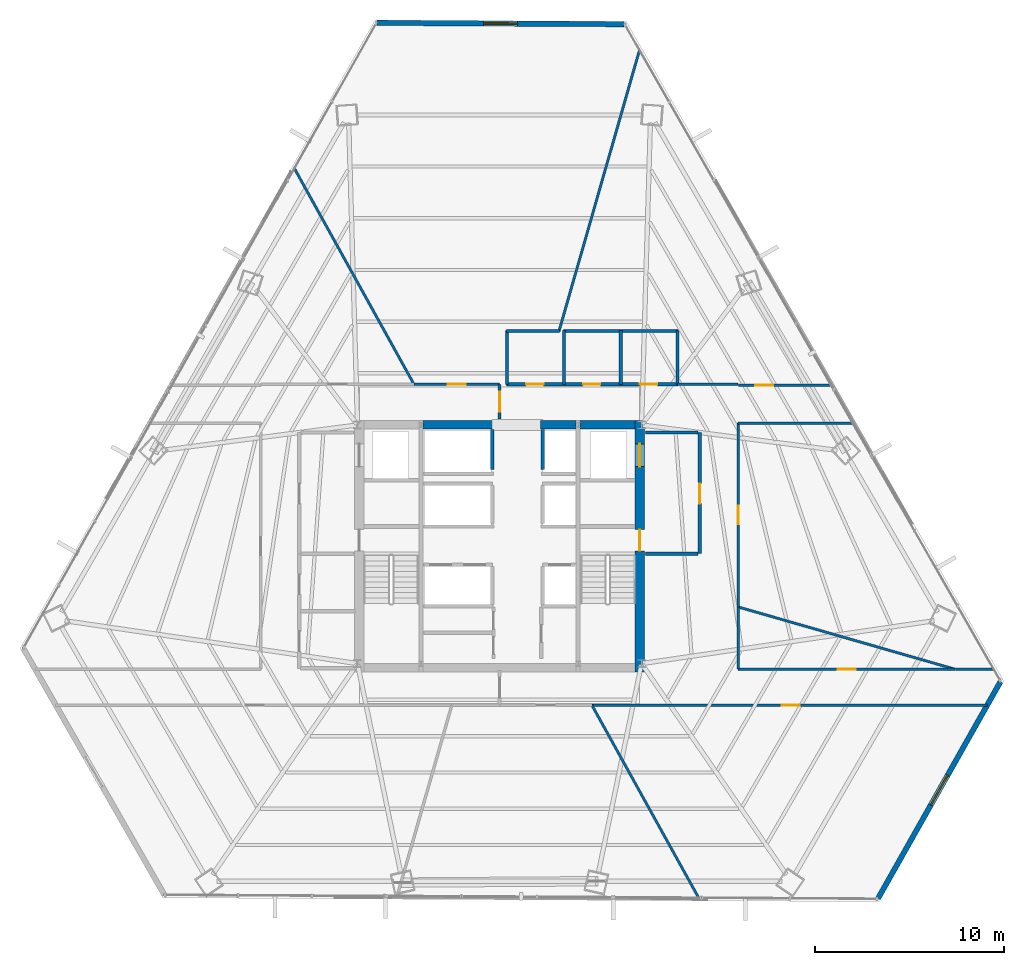
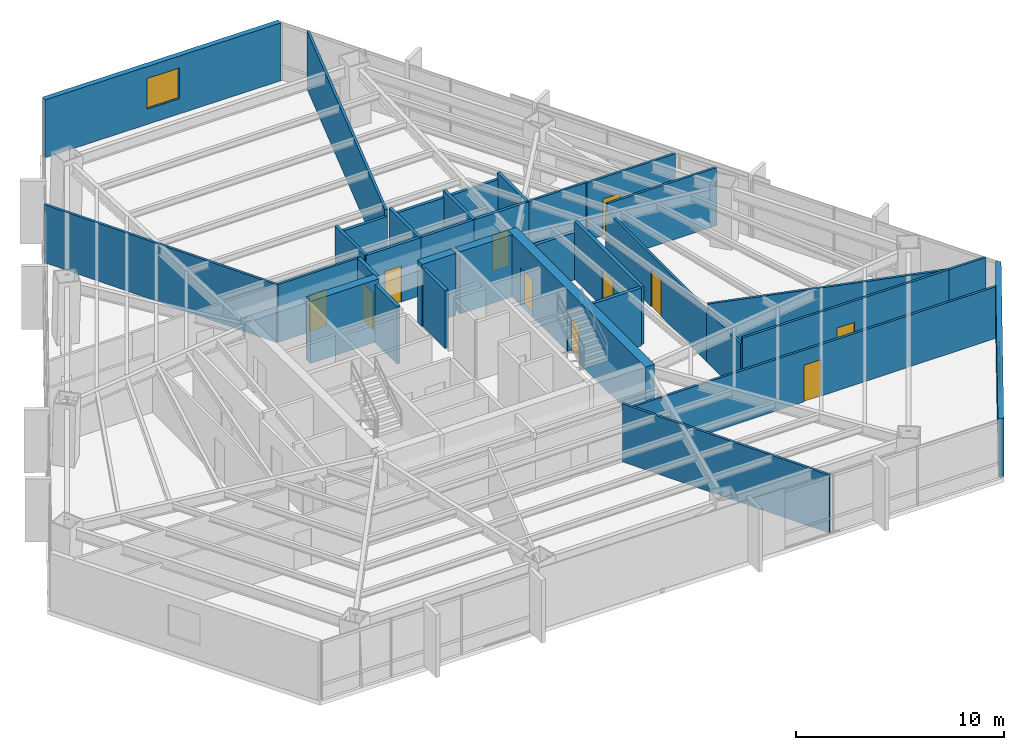
# One storey, part 32 of 36: 35 walls, 12 doors, 2 windows, 14 openings.
"""IFC4 building model written with IfcOpenShell, lengths in metres."""

from ifc_helpers import new_model, si_unit, direction, frame, frame_2d, origin, place, context, subcontext, project, spatial, rectangle, extrude, material, layer, layer_set, type_object, element, fill, save


model = new_model("IFC4")

# Units and contexts
model_context = context("Model", 3, precision=1e-05, world=origin(), true_north=direction((0.0, 1.0)))
body_context = subcontext(model_context, "Body", "Model", "MODEL_VIEW")
ifc_project = project(units=[si_unit("LENGTHUNIT", "METRE"), si_unit("AREAUNIT", "SQUARE_METRE"), si_unit("VOLUMEUNIT", "CUBIC_METRE"), si_unit("PLANEANGLEUNIT", "RADIAN"), si_unit("MASSUNIT", "GRAM", prefix="KILO")], contexts=[model_context])

# Site, building, storey
site_placement = place(None, origin())
site = spatial("IfcSite", under=ifc_project, at=site_placement, CompositionType="ELEMENT")
building_placement = place(site_placement, origin())
building = spatial("IfcBuilding", under=site, at=building_placement, Name="Caelisora Broadcast Tower", CompositionType="ELEMENT")
storey_placement = place(building_placement, frame((0.0, 0.0, 79.85009765625)))
storey = spatial("IfcBuildingStorey", under=building, at=storey_placement, Name="L20", CompositionType="ELEMENT", Elevation=79.85009765625)

# Wall, openings, doors
ifc_material_1 = material(Name="Concrete 50 MPa (AS 3600 S50)", Category="concrete")
ifc_layer_1 = layer(ifc_material_1, 0.5, Name="Concrete 50 MPa (AS 3600 S50)")
ifc_layer_set_1 = layer_set([ifc_layer_1], Name="Concrete 50 MPa (AS 3600 S50)")
wall_type_1 = type_object("IfcWallType", Name="CW2", PredefinedType="SHEAR", material=ifc_layer_set_1)
wall_1_placement = place(storey_placement, frame((45.409912109375, 16.949951171875, 0.0), z_axis=(0.0, 0.0, 1.0), x_axis=(0.0, 1.0, 0.0)))
wall_1 = element("IfcWall", 1, at=wall_1_placement, inside=storey, type_object=wall_type_1, Name="L20 core shear wall CW2", PredefinedType="SHEAR", context=body_context, shape_type="SweptSolid", body=[
    extrude(rectangle(XDim=13.275146484375, YDim=0.5, at=frame_2d((6.6376953125, 0.0))), origin(), (0.0, 0.0, 1.0), 3.64990234375),
])
opening_1_placement = place(wall_1_placement, frame((6.39990234375, 0.0, 0.0)))
opening_1 = element("IfcOpeningElement", 2, at=opening_1_placement, cuts=wall_1, Name="Opening FD04", PredefinedType="OPENING", context=body_context, shape_type="SweptSolid", body=[
    extrude(rectangle(XDim=1.1201171875, YDim=2.14990234375, at=frame_2d((0.56005859375, 1.074951171875))), frame((0.0, 0.261962890625, 0.0), z_axis=(0.0, -1.0, 0.0), x_axis=(1.0, 0.0, 0.0)), (0.0, 0.0, 1.0), 0.52392578125),
])
opening_2_placement = place(wall_1_placement, frame((10.85009765625, 0.0, 0.0)))
opening_2 = element("IfcOpeningElement", 3, at=opening_2_placement, cuts=wall_1, Name="Opening LD04", PredefinedType="OPENING", context=body_context, shape_type="SweptSolid", body=[
    extrude(rectangle(XDim=1.199951171875, YDim=2.199951171875, at=frame_2d((0.60009765625, 1.10009765625))), frame((0.0, 0.261962890625, 0.0), z_axis=(0.0, -1.0, 0.0), x_axis=(1.0, 0.0, 0.0)), (0.0, 0.0, 1.0), 0.52392578125),
])
ifc_material_2 = material(Name="Pressurised Fire-Isolated Stair Door", Category="steel")
door_type_1 = type_object("IfcDoorType", Name="FD04", OperationType="NOTDEFINED", PredefinedType="DOOR", material=ifc_material_2)
door_1_placement = place(opening_1_placement, origin())
door_1 = element("IfcDoor", 4, at=door_1_placement, inside=storey, type_object=door_type_1, Name="L20 door FD04 (L20-DR-ST2)", OperationType="SINGLE_SWING_RIGHT", OverallHeight=2.14990234375, OverallWidth=1.1201171875, PredefinedType="DOOR", context=body_context, shape_type="SweptSolid", body=[
    extrude(rectangle(XDim=1.1201171875, YDim=2.14990234375, at=frame_2d((0.56005859375, 1.074951171875))), frame((0.0, 0.02490234375, 0.0), z_axis=(0.0, -1.0, 0.0), x_axis=(1.0, 0.0, 0.0)), (0.0, 0.0, 1.0), 0.050048828125),
])
fill(opening_1, door_1)
ifc_material_3 = material(Name="Emergency Firefighting Lift Sliding Landing Door", Category="steel")
door_type_2 = type_object("IfcDoorType", Name="LD04", OperationType="NOTDEFINED", PredefinedType="DOOR", material=ifc_material_3)
door_2_placement = place(opening_2_placement, origin())
door_2 = element("IfcDoor", 5, at=door_2_placement, inside=storey, type_object=door_type_2, Name="L20 door LD04 (L20-LD-FFL2)", OperationType="SLIDING_TO_RIGHT", OverallHeight=2.199951171875, OverallWidth=1.199951171875, PredefinedType="DOOR", context=body_context, shape_type="SweptSolid", body=[
    extrude(rectangle(XDim=1.199951171875, YDim=2.199951171875, at=frame_2d((0.60009765625, 1.10009765625))), frame((0.0, 0.02490234375, 0.0), z_axis=(0.0, -1.0, 0.0), x_axis=(1.0, 0.0, 0.0)), (0.0, 0.0, 1.0), 0.050048828125),
])
fill(opening_2, door_2)

# Walls
ifc_layer_2 = layer(ifc_material_1, 0.449951171875, Name="Concrete 50 MPa (AS 3600 S50)")
ifc_layer_set_2 = layer_set([ifc_layer_2], Name="Concrete 50 MPa (AS 3600 S50)")
wall_type_2 = type_object("IfcWallType", Name="CW5", PredefinedType="SHEAR", material=ifc_layer_set_2)
wall_2_placement = place(storey_placement, frame((33.9599609375, 30.0, 0.0), z_axis=(0.0, 0.0, 1.0), x_axis=(1.0, 0.0, 0.0)))
element("IfcWall", 6, at=wall_2_placement, inside=storey, type_object=wall_type_2, Name="L20 core shear wall CW5", PredefinedType="SHEAR", context=body_context, shape_type="SweptSolid", body=[
    extrude(rectangle(XDim=3.780029296875, YDim=0.449951171875, at=frame_2d((1.89013671875, 0.0))), origin(), (0.0, 0.0, 1.0), 3.64990234375),
])
wall_3_placement = place(storey_placement, frame((40.159912109375, 30.0, 0.0), z_axis=(0.0, 0.0, 1.0), x_axis=(1.0, 0.0, 0.0)))
element("IfcWall", 7, at=wall_3_placement, inside=storey, type_object=wall_type_2, Name="L20 core shear wall CW5", PredefinedType="SHEAR", context=body_context, shape_type="SweptSolid", body=[
    extrude(rectangle(XDim=1.880126953125, YDim=0.449951171875, at=frame_2d((0.93994140625, 0.0))), origin(), (0.0, 0.0, 1.0), 3.64990234375),
])
wall_4_placement = place(storey_placement, frame((42.260009765625, 30.0, 0.0), z_axis=(0.0, 0.0, 1.0), x_axis=(1.0, 0.0, 0.0)))
element("IfcWall", 8, at=wall_4_placement, inside=storey, type_object=wall_type_2, Name="L20 core shear wall CW5", PredefinedType="SHEAR", context=body_context, shape_type="SweptSolid", body=[
    extrude(rectangle(XDim=2.89990234375, YDim=0.449951171875, at=frame_2d((1.449951171875, 0.0))), origin(), (0.0, 0.0, 1.0), 3.64990234375),
])

# Wall, opening, window
ifc_material_4 = material(Name="Insulated Terracotta Spandrel Wall System", Category="masonry")
ifc_layer_3 = layer(ifc_material_4, 0.280029296875, Name="Insulated Terracotta Spandrel Wall System")
ifc_layer_set_3 = layer_set([ifc_layer_3], Name="Insulated Terracotta Spandrel Wall System")
wall_type_3 = type_object("IfcWallType", Name="EW1", PredefinedType="STANDARD", material=ifc_layer_set_3)
wall_5_placement = place(storey_placement, frame((64.4501953125, 16.43896484375, 0.0), z_axis=(0.0, 0.0, 1.0), x_axis=(-0.491765744916, -0.870727541845, 0.0)))
wall_5 = element("IfcWall", 9, at=wall_5_placement, inside=storey, type_object=wall_type_3, Name="L20 exterior envelope wall EW1", PredefinedType="STANDARD", context=body_context, shape_type="SweptSolid", body=[
    extrude(rectangle(XDim=13.13720703125, YDim=0.280029296875, at=frame_2d((6.568603515625, 0.0))), origin(), (0.0, 0.0, 1.0), 3.39990234375),
])
opening_3_placement = place(wall_5_placement, frame((5.669921875, 0.0, 0.89990234375)))
opening_3 = element("IfcOpeningElement", 10, at=opening_3_placement, cuts=wall_5, Name="Opening W01", PredefinedType="OPENING", context=body_context, shape_type="SweptSolid", body=[
    extrude(rectangle(XDim=1.800048828125, YDim=1.800048828125, at=frame_2d((0.89990234375, 0.89990234375))), frame((0.0, 0.152099609375, 0.0), z_axis=(0.0, -1.0, 0.0), x_axis=(1.0, 0.0, 0.0)), (0.0, 0.0, 1.0), 0.303955078125),
])
ifc_material_5 = material(Name="Double Glazed Terracotta-Framed Vision Window", Category="glass")
window_type = type_object("IfcWindowType", Name="W01", PartitioningType="SINGLE_PANEL", PredefinedType="WINDOW", material=ifc_material_5)
window_1_placement = place(opening_3_placement, origin())
window_1 = element("IfcWindow", 11, at=window_1_placement, inside=storey, type_object=window_type, Name="L20 window W01 (L20-WN-CH0)", OverallHeight=1.800048828125, OverallWidth=1.800048828125, PartitioningType="SINGLE_PANEL", PredefinedType="WINDOW", context=body_context, shape_type="SweptSolid", body=[
    extrude(rectangle(XDim=1.800048828125, YDim=1.800048828125, at=frame_2d((0.89990234375, 0.89990234375))), frame((0.0, 0.030029296875, 0.0), z_axis=(0.0, -1.0, 0.0), x_axis=(1.0, 0.0, 0.0)), (0.0, 0.0, 1.0), 0.06005859375),
])
fill(opening_3, window_1)

wall_6_placement = place(storey_placement, frame((31.541015625, 51.23388671875, 0.0), z_axis=(0.0, 0.0, 1.0), x_axis=(0.999984858043, -0.005503061326, 0.0)))
wall_6 = element("IfcWall", 12, at=wall_6_placement, inside=storey, type_object=wall_type_3, Name="L20 exterior envelope wall EW1", PredefinedType="STANDARD", context=body_context, shape_type="SweptSolid", body=[
    extrude(rectangle(XDim=13.043212890625, YDim=0.280029296875, at=frame_2d((6.521484375, 0.0))), origin(), (0.0, 0.0, 1.0), 3.39990234375),
])
opening_4_placement = place(wall_6_placement, frame((5.6201171875, 0.0, 0.89990234375)))
opening_4 = element("IfcOpeningElement", 13, at=opening_4_placement, cuts=wall_6, Name="Opening W01", PredefinedType="OPENING", context=body_context, shape_type="SweptSolid", body=[
    extrude(rectangle(XDim=1.800048828125, YDim=1.800048828125, at=frame_2d((0.89990234375, 0.89990234375))), frame((0.0, 0.152099609375, 0.0), z_axis=(0.0, -1.0, 0.0), x_axis=(1.0, 0.0, 0.0)), (0.0, 0.0, 1.0), 0.303955078125),
])
window_2_placement = place(opening_4_placement, origin())
window_2 = element("IfcWindow", 14, at=window_2_placement, inside=storey, type_object=window_type, Name="L20 window W01 (L20-WN-CH8)", OverallHeight=1.800048828125, OverallWidth=1.800048828125, PartitioningType="SINGLE_PANEL", PredefinedType="WINDOW", context=body_context, shape_type="SweptSolid", body=[
    extrude(rectangle(XDim=1.800048828125, YDim=1.800048828125, at=frame_2d((0.89990234375, 0.89990234375))), frame((0.0, 0.030029296875, 0.0), z_axis=(0.0, -1.0, 0.0), x_axis=(1.0, 0.0, 0.0)), (0.0, 0.0, 1.0), 0.06005859375),
])
fill(opening_4, window_2)

# Walls
ifc_material_6 = material(Name="Fire-Rated Gypsum Shaft and Compartment Wall", Category="gypsum")
ifc_layer_4 = layer(ifc_material_6, 0.179931640625, Name="Fire-Rated Gypsum Shaft and Compartment Wall")
ifc_layer_set_4 = layer_set([ifc_layer_4], Name="Fire-Rated Gypsum Shaft and Compartment Wall")
wall_type_4 = type_object("IfcWallType", Name="PW2", PredefinedType="PARTITIONING", material=ifc_layer_set_4)
for number, where, z_axis, x_axis, name in (
    (15, (37.6201171875, 27.639892578125, 0.0), (0.0, 0.0, 1.0), (0.0, 1.0, 0.0), "L20 fire compartment wall PW2"),
    (16, (40.280029296875, 27.639892578125, 0.0), (0.0, 0.0, 1.0), (0.0, 1.0, 0.0), "L20 fire compartment wall PW2"),
):
    element("IfcWall", number, at=place(storey_placement, frame(where, z_axis=z_axis, x_axis=x_axis)), inside=storey, type_object=wall_type_4, Name=name, PredefinedType="PARTITIONING", context=body_context, shape_type="SweptSolid", body=[
        extrude(rectangle(XDim=2.110107421875, YDim=0.179931640625, at=frame_2d((1.05517578125, 0.0))), origin(), (0.0, 0.0, 1.0), 3.39990234375),
    ])

# Wall, opening, door
wall_7_placement = place(storey_placement, frame((48.580078125, 23.199951171875, 0.0), z_axis=(0.0, 0.0, 1.0), x_axis=(0.0, 1.0, 0.0)))
wall_7 = element("IfcWall", 17, at=wall_7_placement, inside=storey, type_object=wall_type_4, Name="L20 fire compartment wall PW2", PredefinedType="PARTITIONING", context=body_context, shape_type="SweptSolid", body=[
    extrude(rectangle(XDim=6.400146484375, YDim=0.179931640625, at=frame_2d((3.2001953125, 0.0))), origin(), (0.0, 0.0, 1.0), 3.39990234375),
])
opening_5_placement = place(wall_7_placement, frame((2.64990234375, 0.0, 0.0)))
opening_5 = element("IfcOpeningElement", 18, at=opening_5_placement, cuts=wall_7, Name="Opening FD02", PredefinedType="OPENING", context=body_context, shape_type="SweptSolid", body=[
    extrude(rectangle(XDim=1.050048828125, YDim=2.14990234375, at=frame_2d((0.52490234375, 1.074951171875))), frame((0.0, 0.10205078125, 0.0), z_axis=(0.0, -1.0, 0.0), x_axis=(1.0, 0.0, 0.0)), (0.0, 0.0, 1.0), 0.203857421875),
])
ifc_material_7 = material(Name="Single-Leaf Steel Fire Lobby Door", Category="steel")
door_type_3 = type_object("IfcDoorType", Name="FD02", OperationType="NOTDEFINED", PredefinedType="DOOR", material=ifc_material_7)
door_3_placement = place(opening_5_placement, origin())
door_3 = element("IfcDoor", 19, at=door_3_placement, inside=storey, type_object=door_type_3, Name="L20 door FD02 (L20-DR-P04D1)", OperationType="SINGLE_SWING_RIGHT", OverallHeight=2.14990234375, OverallWidth=1.050048828125, PredefinedType="DOOR", context=body_context, shape_type="SweptSolid", body=[
    extrude(rectangle(XDim=1.050048828125, YDim=2.14990234375, at=frame_2d((0.52490234375, 1.074951171875))), frame((0.0, 0.02490234375, 0.0), z_axis=(0.0, -1.0, 0.0), x_axis=(1.0, 0.0, 0.0)), (0.0, 0.0, 1.0), 0.050048828125),
])
fill(opening_5, door_3)

# Walls
wall_8_placement = place(storey_placement, frame((45.719970703125, 23.199951171875, 0.0), z_axis=(0.0, 0.0, 1.0), x_axis=(1.0, 0.0, 0.0)))
element("IfcWall", 20, at=wall_8_placement, inside=storey, type_object=wall_type_4, Name="L20 fire compartment wall PW2", PredefinedType="PARTITIONING", context=body_context, shape_type="SweptSolid", body=[
    extrude(rectangle(XDim=2.760009765625, YDim=0.179931640625, at=frame_2d((1.3798828125, 0.0))), origin(), (0.0, 0.0, 1.0), 3.39990234375),
])
wall_9_placement = place(storey_placement, frame((45.719970703125, 29.60009765625, 0.0), z_axis=(0.0, 0.0, 1.0), x_axis=(1.0, 0.0, 0.0)))
element("IfcWall", 21, at=wall_9_placement, inside=storey, type_object=wall_type_4, Name="L20 fire compartment wall PW2", PredefinedType="PARTITIONING", context=body_context, shape_type="SweptSolid", body=[
    extrude(rectangle(XDim=2.760009765625, YDim=0.179931640625, at=frame_2d((1.3798828125, 0.0))), origin(), (0.0, 0.0, 1.0), 2.78271484375),
])

# Wall, opening, door
wall_10_placement = place(storey_placement, frame((38.0, 30.320068359375, 0.0), z_axis=(0.0, 0.0, 1.0), x_axis=(0.0, 1.0, 0.0)))
wall_10 = element("IfcWall", 22, at=wall_10_placement, inside=storey, type_object=wall_type_4, Name="L20 fire compartment wall PW2", PredefinedType="PARTITIONING", context=body_context, shape_type="SweptSolid", body=[
    extrude(rectangle(XDim=1.824951171875, YDim=0.179931640625, at=frame_2d((0.91259765625, 0.0))), origin(), (0.0, 0.0, 1.0), 3.39990234375),
])
opening_6_placement = place(wall_10_placement, frame((0.387939453125, 0.0, 0.0)))
opening_6 = element("IfcOpeningElement", 23, at=opening_6_placement, cuts=wall_10, Name="Opening FD02", PredefinedType="OPENING", context=body_context, shape_type="SweptSolid", body=[
    extrude(rectangle(XDim=1.050048828125, YDim=2.14990234375, at=frame_2d((0.52490234375, 1.074951171875))), frame((0.0, 0.10205078125, 0.0), z_axis=(0.0, -1.0, 0.0), x_axis=(1.0, 0.0, 0.0)), (0.0, 0.0, 1.0), 0.203857421875),
])
door_4_placement = place(opening_6_placement, origin())
door_4 = element("IfcDoor", 24, at=door_4_placement, inside=storey, type_object=door_type_3, Name="L20 door FD02 (L20-DR-P50D1)", OperationType="SINGLE_SWING_LEFT", OverallHeight=2.14990234375, OverallWidth=1.050048828125, PredefinedType="DOOR", context=body_context, shape_type="SweptSolid", body=[
    extrude(rectangle(XDim=1.050048828125, YDim=2.14990234375, at=frame_2d((0.52490234375, 1.074951171875))), frame((0.0, 0.02490234375, 0.0), z_axis=(0.0, -1.0, 0.0), x_axis=(1.0, 0.0, 0.0)), (0.0, 0.0, 1.0), 0.050048828125),
])
fill(opening_6, door_4)

ifc_material_8 = material(Name="Acoustic Steel-Stud Plasterboard Partition", Category="gypsum")
ifc_layer_5 = layer(ifc_material_8, 0.1298828125, Name="Acoustic Steel-Stud Plasterboard Partition")
ifc_layer_set_5 = layer_set([ifc_layer_5], Name="Acoustic Steel-Stud Plasterboard Partition")
wall_type_5 = type_object("IfcWallType", Name="PW3", PredefinedType="PARTITIONING", material=ifc_layer_set_5)
wall_11_placement = place(storey_placement, frame((42.885009765625, 15.199951171875, 0.0), z_axis=(0.0, 0.0, 1.0), x_axis=(1.0, 0.0, 0.0)))
wall_11 = element("IfcWall", 25, at=wall_11_placement, inside=storey, type_object=wall_type_5, Name="L20 internal partition PW3", PredefinedType="PARTITIONING", context=body_context, shape_type="SweptSolid", body=[
    extrude(rectangle(XDim=20.871826171875, YDim=0.1298828125, at=frame_2d((10.43603515625, 0.0))), origin(), (0.0, 0.0, 1.0), 3.0263671875),
])
opening_7_placement = place(wall_11_placement, frame((10.011962890625, 0.0, 0.0)))
opening_7 = element("IfcOpeningElement", 26, at=opening_7_placement, cuts=wall_11, Name="Opening D01", PredefinedType="OPENING", context=body_context, shape_type="SweptSolid", body=[
    extrude(rectangle(XDim=0.9599609375, YDim=2.14990234375, at=frame_2d((0.47998046875, 1.074951171875))), frame((0.0, 0.076904296875, 0.0), z_axis=(0.0, -1.0, 0.0), x_axis=(1.0, 0.0, 0.0)), (0.0, 0.0, 1.0), 0.15380859375),
])
ifc_material_9 = material(Name="Solid-Core Timber Acoustic Office Door", Category="wood")
door_type_4 = type_object("IfcDoorType", Name="D01", OperationType="NOTDEFINED", PredefinedType="DOOR", material=ifc_material_9)
door_5_placement = place(opening_7_placement, origin())
door_5 = element("IfcDoor", 27, at=door_5_placement, inside=storey, type_object=door_type_4, Name="L20 door D01 (L20-DR-P28D1)", OperationType="SINGLE_SWING_RIGHT", OverallHeight=2.14990234375, OverallWidth=0.9599609375, PredefinedType="DOOR", context=body_context, shape_type="SweptSolid", body=[
    extrude(rectangle(XDim=0.9599609375, YDim=2.14990234375, at=frame_2d((0.47998046875, 1.074951171875))), frame((0.0, 0.02490234375, 0.0), z_axis=(0.0, -1.0, 0.0), x_axis=(1.0, 0.0, 0.0)), (0.0, 0.0, 1.0), 0.050048828125),
])
fill(opening_7, door_5)

# Walls
wall_12_placement = place(storey_placement, frame((41.14111328125, 34.955078125, 0.0), z_axis=(0.0, 0.0, 1.0), x_axis=(0.275328429026, 0.961350225553, 0.0)))
element("IfcWall", 28, at=wall_12_placement, inside=storey, type_object=wall_type_5, Name="L20 internal partition PW3", PredefinedType="PARTITIONING", context=body_context, shape_type="SweptSolid", body=[
    extrude(rectangle(XDim=15.449462890625, YDim=0.1298828125, at=frame_2d((7.724609375, 0.0))), origin(), (0.0, 0.0, 1.0), 3.39990234375),
])
wall_13_placement = place(storey_placement, frame((27.165283203125, 43.55029296875, 0.0), z_axis=(0.0, 0.0, 1.0), x_axis=(0.484557411121, -0.874759461411, 0.0)))
element("IfcWall", 29, at=wall_13_placement, inside=storey, type_object=wall_type_5, Name="L20 internal partition PW3", PredefinedType="PARTITIONING", context=body_context, shape_type="SweptSolid", body=[
    extrude(rectangle(XDim=13.02783203125, YDim=0.1298828125, at=frame_2d((6.513916015625, 0.0))), origin(), (0.0, 0.0, 1.0), 3.39990234375),
])
wall_14_placement = place(storey_placement, frame((50.60498046875, 20.388916015625, 0.0), z_axis=(0.0, 0.0, 1.0), x_axis=(0.961158846522, -0.27599578213, 0.0)))
element("IfcWall", 30, at=wall_14_placement, inside=storey, type_object=wall_type_5, Name="L20 internal partition PW3", PredefinedType="PARTITIONING", context=body_context, shape_type="SweptSolid", body=[
    extrude(rectangle(XDim=11.91259765625, YDim=0.1298828125, at=frame_2d((5.956298828125, 0.0))), origin(), (0.0, 0.0, 1.0), 3.39990234375),
])
wall_15_placement = place(storey_placement, frame((42.882080078125, 15.196044921875, 0.0), z_axis=(0.0, 0.0, 1.0), x_axis=(0.484633995733, -0.874717034349, 0.0)))
element("IfcWall", 31, at=wall_15_placement, inside=storey, type_object=wall_type_5, Name="L20 internal partition PW3", PredefinedType="PARTITIONING", context=body_context, shape_type="SweptSolid", body=[
    extrude(rectangle(XDim=11.63232421875, YDim=0.1298828125, at=frame_2d((5.816162109375, 0.0))), origin(), (0.0, 0.0, 1.0), 3.39990234375),
])

# Wall, opening, door
wall_16_placement = place(storey_placement, frame((62.054931640625, 17.10009765625, 0.0), z_axis=(0.0, 0.0, 1.0), x_axis=(-1.0, 0.0, 0.0)))
wall_16 = element("IfcWall", 32, at=wall_16_placement, inside=storey, type_object=wall_type_5, Name="L20 internal partition PW3", PredefinedType="PARTITIONING", context=body_context, shape_type="SweptSolid", body=[
    extrude(rectangle(XDim=11.449951171875, YDim=0.1298828125, at=frame_2d((5.72509765625, 0.0))), origin(), (0.0, 0.0, 1.0), 3.39990234375),
])
opening_8_placement = place(wall_16_placement, frame((5.2451171875, 0.0, 0.0)))
opening_8 = element("IfcOpeningElement", 33, at=opening_8_placement, cuts=wall_16, Name="Opening D01", PredefinedType="OPENING", context=body_context, shape_type="SweptSolid", body=[
    extrude(rectangle(XDim=0.9599609375, YDim=2.14990234375, at=frame_2d((0.47998046875, 1.074951171875))), frame((0.0, 0.076904296875, 0.0), z_axis=(0.0, -1.0, 0.0), x_axis=(1.0, 0.0, 0.0)), (0.0, 0.0, 1.0), 0.15380859375),
])
door_6_placement = place(opening_8_placement, origin())
door_6 = element("IfcDoor", 34, at=door_6_placement, inside=storey, type_object=door_type_4, Name="L20 door D01 (L20-DR-P35D1)", OperationType="SINGLE_SWING_RIGHT", OverallHeight=2.14990234375, OverallWidth=0.9599609375, PredefinedType="DOOR", context=body_context, shape_type="SweptSolid", body=[
    extrude(rectangle(XDim=0.9599609375, YDim=2.14990234375, at=frame_2d((0.47998046875, 1.074951171875))), frame((0.0, 0.02490234375, 0.0), z_axis=(0.0, -1.0, 0.0), x_axis=(1.0, 0.0, 0.0)), (0.0, 0.0, 1.0), 0.050048828125),
])
fill(opening_8, door_6)

wall_17_placement = place(storey_placement, frame((50.60009765625, 20.39501953125, 0.0), z_axis=(0.0, 0.0, 1.0), x_axis=(0.0, 1.0, 0.0)))
wall_17 = element("IfcWall", 35, at=wall_17_placement, inside=storey, type_object=wall_type_5, Name="L20 internal partition PW3", PredefinedType="PARTITIONING", context=body_context, shape_type="SweptSolid", body=[
    extrude(rectangle(XDim=9.699951171875, YDim=0.1298828125, at=frame_2d((4.85009765625, 0.0))), origin(), (0.0, 0.0, 1.0), 3.0263671875),
])
opening_9_placement = place(wall_17_placement, frame((4.3701171875, 0.0, 0.0)))
opening_9 = element("IfcOpeningElement", 36, at=opening_9_placement, cuts=wall_17, Name="Opening D01", PredefinedType="OPENING", context=body_context, shape_type="SweptSolid", body=[
    extrude(rectangle(XDim=0.9599609375, YDim=2.14990234375, at=frame_2d((0.47998046875, 1.074951171875))), frame((0.0, 0.076904296875, 0.0), z_axis=(0.0, -1.0, 0.0), x_axis=(1.0, 0.0, 0.0)), (0.0, 0.0, 1.0), 0.15380859375),
])
door_7_placement = place(opening_9_placement, origin())
door_7 = element("IfcDoor", 37, at=door_7_placement, inside=storey, type_object=door_type_4, Name="L20 door D01 (L20-DR-P37D1)", OperationType="SINGLE_SWING_LEFT", OverallHeight=2.14990234375, OverallWidth=0.9599609375, PredefinedType="DOOR", context=body_context, shape_type="SweptSolid", body=[
    extrude(rectangle(XDim=0.9599609375, YDim=2.14990234375, at=frame_2d((0.47998046875, 1.074951171875))), frame((0.0, 0.02490234375, 0.0), z_axis=(0.0, -1.0, 0.0), x_axis=(1.0, 0.0, 0.0)), (0.0, 0.0, 1.0), 0.050048828125),
])
fill(opening_9, door_7)

# Wall
wall_18_placement = place(storey_placement, frame((50.60498046875, 30.10009765625, 0.0), z_axis=(0.0, 0.0, 1.0), x_axis=(1.0, 0.0, 0.0)))
element("IfcWall", 38, at=wall_18_placement, inside=storey, type_object=wall_type_5, Name="L20 internal partition PW3", PredefinedType="PARTITIONING", context=body_context, shape_type="SweptSolid", body=[
    extrude(rectangle(XDim=6.06494140625, YDim=0.1298828125, at=frame_2d((3.032470703125, 0.0))), origin(), (0.0, 0.0, 1.0), 3.39990234375),
])

# Wall, opening, door
wall_19_placement = place(storey_placement, frame((50.60498046875, 32.10009765625, 0.0), z_axis=(0.0, 0.0, 1.0), x_axis=(1.0, 0.0, 0.0)))
wall_19 = element("IfcWall", 39, at=wall_19_placement, inside=storey, type_object=wall_type_5, Name="L20 internal partition PW3", PredefinedType="PARTITIONING", context=body_context, shape_type="SweptSolid", body=[
    extrude(rectangle(XDim=4.920654296875, YDim=0.1298828125, at=frame_2d((2.46044921875, 0.0))), origin(), (0.0, 0.0, 1.0), 3.39990234375),
])
opening_10_placement = place(wall_19_placement, frame((0.89990234375, 0.0, 0.0)))
opening_10 = element("IfcOpeningElement", 40, at=opening_10_placement, cuts=wall_19, Name="Opening D01", PredefinedType="OPENING", context=body_context, shape_type="SweptSolid", body=[
    extrude(rectangle(XDim=0.9599609375, YDim=2.14990234375, at=frame_2d((0.47998046875, 1.074951171875))), frame((0.0, 0.076904296875, 0.0), z_axis=(0.0, -1.0, 0.0), x_axis=(1.0, 0.0, 0.0)), (0.0, 0.0, 1.0), 0.15380859375),
])
door_8_placement = place(opening_10_placement, origin())
door_8 = element("IfcDoor", 41, at=door_8_placement, inside=storey, type_object=door_type_4, Name="L20 door D01 (L20-DR-P41D1)", OperationType="SINGLE_SWING_LEFT", OverallHeight=2.14990234375, OverallWidth=0.9599609375, PredefinedType="DOOR", context=body_context, shape_type="SweptSolid", body=[
    extrude(rectangle(XDim=0.9599609375, YDim=2.14990234375, at=frame_2d((0.47998046875, 1.074951171875))), frame((0.0, 0.02490234375, 0.0), z_axis=(0.0, -1.0, 0.0), x_axis=(1.0, 0.0, 0.0)), (0.0, 0.0, 1.0), 0.050048828125),
])
fill(opening_10, door_8)

wall_20_placement = place(storey_placement, frame((33.485107421875, 32.14990234375, 0.0), z_axis=(0.0, 0.0, 1.0), x_axis=(1.0, 0.0, 0.0)))
wall_20 = element("IfcWall", 42, at=wall_20_placement, inside=storey, type_object=wall_type_5, Name="L20 internal partition PW3", PredefinedType="PARTITIONING", context=body_context, shape_type="SweptSolid", body=[
    extrude(rectangle(XDim=4.510009765625, YDim=0.1298828125, at=frame_2d((2.2548828125, 0.0))), origin(), (0.0, 0.0, 1.0), 3.39990234375),
])
opening_11_placement = place(wall_20_placement, frame((1.77490234375, 0.0, 0.0)))
opening_11 = element("IfcOpeningElement", 43, at=opening_11_placement, cuts=wall_20, Name="Opening D01", PredefinedType="OPENING", context=body_context, shape_type="SweptSolid", body=[
    extrude(rectangle(XDim=0.9599609375, YDim=2.14990234375, at=frame_2d((0.47998046875, 1.074951171875))), frame((0.0, 0.076904296875, 0.0), z_axis=(0.0, -1.0, 0.0), x_axis=(1.0, 0.0, 0.0)), (0.0, 0.0, 1.0), 0.15380859375),
])
door_9_placement = place(opening_11_placement, origin())
door_9 = element("IfcDoor", 44, at=door_9_placement, inside=storey, type_object=door_type_4, Name="L20 door D01 (L20-DR-P44D1)", OperationType="SINGLE_SWING_LEFT", OverallHeight=2.14990234375, OverallWidth=0.9599609375, PredefinedType="DOOR", context=body_context, shape_type="SweptSolid", body=[
    extrude(rectangle(XDim=0.9599609375, YDim=2.14990234375, at=frame_2d((0.47998046875, 1.074951171875))), frame((0.0, 0.02490234375, 0.0), z_axis=(0.0, -1.0, 0.0), x_axis=(1.0, 0.0, 0.0)), (0.0, 0.0, 1.0), 0.050048828125),
])
fill(opening_11, door_9)

# Walls
wall_21_placement = place(storey_placement, frame((50.60009765625, 17.10498046875, 0.0), z_axis=(0.0, 0.0, 1.0), x_axis=(0.0, 1.0, 0.0)))
element("IfcWall", 45, at=wall_21_placement, inside=storey, type_object=wall_type_5, Name="L20 internal partition PW3", PredefinedType="PARTITIONING", context=body_context, shape_type="SweptSolid", body=[
    extrude(rectangle(XDim=3.280029296875, YDim=0.1298828125, at=frame_2d((1.64013671875, 0.0))), origin(), (0.0, 0.0, 1.0), 3.0263671875),
])
wall_22_placement = place(storey_placement, frame((47.405029296875, 32.14990234375, 0.0), z_axis=(0.0, 0.0, 1.0), x_axis=(1.0, 0.0, 0.0)))
element("IfcWall", 46, at=wall_22_placement, inside=storey, type_object=wall_type_5, Name="L20 internal partition PW3", PredefinedType="PARTITIONING", context=body_context, shape_type="SweptSolid", body=[
    extrude(rectangle(XDim=3.18994140625, YDim=0.1298828125, at=frame_2d((1.594970703125, 0.0))), origin(), (0.0, 0.0, 1.0), 3.39990234375),
])
wall_23_placement = place(storey_placement, frame((62.06494140625, 17.10009765625, 0.0), z_axis=(0.0, 0.0, 1.0), x_axis=(1.0, 0.0, 0.0)))
element("IfcWall", 47, at=wall_23_placement, inside=storey, type_object=wall_type_5, Name="L20 internal partition PW3", PredefinedType="PARTITIONING", context=body_context, shape_type="SweptSolid", body=[
    extrude(rectangle(XDim=2.042724609375, YDim=0.1298828125, at=frame_2d((1.021484375, 0.0))), origin(), (0.0, 0.0, 1.0), 3.39990234375),
])

# Wall, opening, door
ifc_material_10 = material(Name="Moisture-Resistant Wet Plumbing Service Wall", Category="gypsum")
ifc_layer_6 = layer(ifc_material_10, 0.159912109375, Name="Moisture-Resistant Wet Plumbing Service Wall")
ifc_layer_set_6 = layer_set([ifc_layer_6], Name="Moisture-Resistant Wet Plumbing Service Wall")
wall_type_6 = type_object("IfcWallType", Name="PW4", PredefinedType="PLUMBINGWALL", material=ifc_layer_set_6)
wall_24_placement = place(storey_placement, frame((38.375, 32.14990234375, 0.0), z_axis=(0.0, 0.0, 1.0), x_axis=(1.0, 0.0, 0.0)))
wall_24 = element("IfcWall", 48, at=wall_24_placement, inside=storey, type_object=wall_type_6, Name="L20 wet plumbing wall PW4", PredefinedType="PLUMBINGWALL", context=body_context, shape_type="SweptSolid", body=[
    extrude(rectangle(XDim=3.050048828125, YDim=0.159912109375, at=frame_2d((1.52490234375, 0.0))), origin(), (0.0, 0.0, 1.0), 3.39990234375),
])
opening_12_placement = place(wall_24_placement, frame((1.034912109375, 0.0, 0.0)))
opening_12 = element("IfcOpeningElement", 49, at=opening_12_placement, cuts=wall_24, Name="Opening D03", PredefinedType="OPENING", context=body_context, shape_type="SweptSolid", body=[
    extrude(rectangle(XDim=0.919921875, YDim=2.10009765625, at=frame_2d((0.4599609375, 1.050048828125))), frame((0.0, 0.092041015625, 0.0), z_axis=(0.0, -1.0, 0.0), x_axis=(1.0, 0.0, 0.0)), (0.0, 0.0, 1.0), 0.183837890625),
])
ifc_material_11 = material(Name="Laminate Moisture-Resistant Amenity WC Door", Category="wood")
door_type_5 = type_object("IfcDoorType", Name="D03", OperationType="NOTDEFINED", PredefinedType="DOOR", material=ifc_material_11)
door_10_placement = place(opening_12_placement, origin())
door_10 = element("IfcDoor", 50, at=door_10_placement, inside=storey, type_object=door_type_5, Name="L20 door D03 (L20-DR-P17D1)", OperationType="SINGLE_SWING_RIGHT", OverallHeight=2.10009765625, OverallWidth=0.919921875, PredefinedType="DOOR", context=body_context, shape_type="SweptSolid", body=[
    extrude(rectangle(XDim=0.919921875, YDim=2.10009765625, at=frame_2d((0.4599609375, 1.050048828125))), frame((0.0, 0.02490234375, 0.0), z_axis=(0.0, -1.0, 0.0), x_axis=(1.0, 0.0, 0.0)), (0.0, 0.0, 1.0), 0.050048828125),
])
fill(opening_12, door_10)

wall_25_placement = place(storey_placement, frame((41.375, 32.14990234375, 0.0), z_axis=(0.0, 0.0, 1.0), x_axis=(1.0, 0.0, 0.0)))
wall_25 = element("IfcWall", 51, at=wall_25_placement, inside=storey, type_object=wall_type_6, Name="L20 wet plumbing wall PW4", PredefinedType="PLUMBINGWALL", context=body_context, shape_type="SweptSolid", body=[
    extrude(rectangle(XDim=3.050048828125, YDim=0.159912109375, at=frame_2d((1.52490234375, 0.0))), origin(), (0.0, 0.0, 1.0), 3.39990234375),
])
opening_13_placement = place(wall_25_placement, frame((1.034912109375, 0.0, 0.0)))
opening_13 = element("IfcOpeningElement", 52, at=opening_13_placement, cuts=wall_25, Name="Opening D03", PredefinedType="OPENING", context=body_context, shape_type="SweptSolid", body=[
    extrude(rectangle(XDim=0.919921875, YDim=2.10009765625, at=frame_2d((0.4599609375, 1.050048828125))), frame((0.0, 0.092041015625, 0.0), z_axis=(0.0, -1.0, 0.0), x_axis=(1.0, 0.0, 0.0)), (0.0, 0.0, 1.0), 0.183837890625),
])
door_11_placement = place(opening_13_placement, origin())
door_11 = element("IfcDoor", 53, at=door_11_placement, inside=storey, type_object=door_type_5, Name="L20 door D03 (L20-DR-P18D1)", OperationType="SINGLE_SWING_LEFT", OverallHeight=2.10009765625, OverallWidth=0.919921875, PredefinedType="DOOR", context=body_context, shape_type="SweptSolid", body=[
    extrude(rectangle(XDim=0.919921875, YDim=2.10009765625, at=frame_2d((0.4599609375, 1.050048828125))), frame((0.0, 0.02490234375, 0.0), z_axis=(0.0, -1.0, 0.0), x_axis=(1.0, 0.0, 0.0)), (0.0, 0.0, 1.0), 0.050048828125),
])
fill(opening_13, door_11)

wall_26_placement = place(storey_placement, frame((44.375, 32.14990234375, 0.0), z_axis=(0.0, 0.0, 1.0), x_axis=(1.0, 0.0, 0.0)))
wall_26 = element("IfcWall", 54, at=wall_26_placement, inside=storey, type_object=wall_type_6, Name="L20 wet plumbing wall PW4", PredefinedType="PLUMBINGWALL", context=body_context, shape_type="SweptSolid", body=[
    extrude(rectangle(XDim=3.050048828125, YDim=0.159912109375, at=frame_2d((1.52490234375, 0.0))), origin(), (0.0, 0.0, 1.0), 3.39990234375),
])
opening_14_placement = place(wall_26_placement, frame((1.034912109375, 0.0, 0.0)))
opening_14 = element("IfcOpeningElement", 55, at=opening_14_placement, cuts=wall_26, Name="Opening D03", PredefinedType="OPENING", context=body_context, shape_type="SweptSolid", body=[
    extrude(rectangle(XDim=0.919921875, YDim=2.10009765625, at=frame_2d((0.4599609375, 1.050048828125))), frame((0.0, 0.092041015625, 0.0), z_axis=(0.0, -1.0, 0.0), x_axis=(1.0, 0.0, 0.0)), (0.0, 0.0, 1.0), 0.183837890625),
])
door_12_placement = place(opening_14_placement, origin())
door_12 = element("IfcDoor", 56, at=door_12_placement, inside=storey, type_object=door_type_5, Name="L20 door D03 (L20-DR-P19D1)", OperationType="SINGLE_SWING_RIGHT", OverallHeight=2.10009765625, OverallWidth=0.919921875, PredefinedType="DOOR", context=body_context, shape_type="SweptSolid", body=[
    extrude(rectangle(XDim=0.919921875, YDim=2.10009765625, at=frame_2d((0.4599609375, 1.050048828125))), frame((0.0, 0.02490234375, 0.0), z_axis=(0.0, -1.0, 0.0), x_axis=(1.0, 0.0, 0.0)), (0.0, 0.0, 1.0), 0.050048828125),
])
fill(opening_14, door_12)

# Walls
for number, where, z_axis, x_axis, name in (
    (57, (41.375, 34.949951171875, 0.0), (0.0, 0.0, 1.0), (1.0, 0.0, 0.0), "L20 wet plumbing wall PW4"),
    (58, (47.425048828125, 34.949951171875, 0.0), (0.0, 0.0, 1.0), (-1.0, 0.0, 0.0), "L20 wet plumbing wall PW4"),
):
    element("IfcWall", number, at=place(storey_placement, frame(where, z_axis=z_axis, x_axis=x_axis)), inside=storey, type_object=wall_type_6, Name=name, PredefinedType="PLUMBINGWALL", context=body_context, shape_type="SweptSolid", body=[
        extrude(rectangle(XDim=3.050048828125, YDim=0.159912109375, at=frame_2d((1.52490234375, 0.0))), origin(), (0.0, 0.0, 1.0), 3.0263671875),
    ])
for number, where, z_axis, x_axis, name in (
    (59, (41.39990234375, 32.125, 0.0), (0.0, 0.0, 1.0), (0.0, 1.0, 0.0), "L20 wet plumbing wall PW4"),
    (60, (38.39990234375, 32.125, 0.0), (0.0, 0.0, 1.0), (0.0, 1.0, 0.0), "L20 wet plumbing wall PW4"),
    (61, (44.39990234375, 32.125, 0.0), (0.0, 0.0, 1.0), (0.0, 1.0, 0.0), "L20 wet plumbing wall PW4"),
    (62, (47.39990234375, 32.125, 0.0), (0.0, 0.0, 1.0), (0.0, 1.0, 0.0), "L20 wet plumbing wall PW4"),
):
    element("IfcWall", number, at=place(storey_placement, frame(where, z_axis=z_axis, x_axis=x_axis)), inside=storey, type_object=wall_type_6, Name=name, PredefinedType="PLUMBINGWALL", context=body_context, shape_type="SweptSolid", body=[
        extrude(rectangle(XDim=2.85009765625, YDim=0.159912109375, at=frame_2d((1.425048828125, 0.0))), origin(), (0.0, 0.0, 1.0), 3.39990234375),
    ])
wall_27_placement = place(storey_placement, frame((38.375, 34.949951171875, 0.0), z_axis=(0.0, 0.0, 1.0), x_axis=(1.0, 0.0, 0.0)))
element("IfcWall", 63, at=wall_27_placement, inside=storey, type_object=wall_type_6, Name="L20 wet plumbing wall PW4", PredefinedType="PLUMBINGWALL", context=body_context, shape_type="SweptSolid", body=[
    extrude(rectangle(XDim=2.7900390625, YDim=0.159912109375, at=frame_2d((1.39501953125, 0.0))), origin(), (0.0, 0.0, 1.0), 3.0263671875),
])

save(model, "model.ifc")
